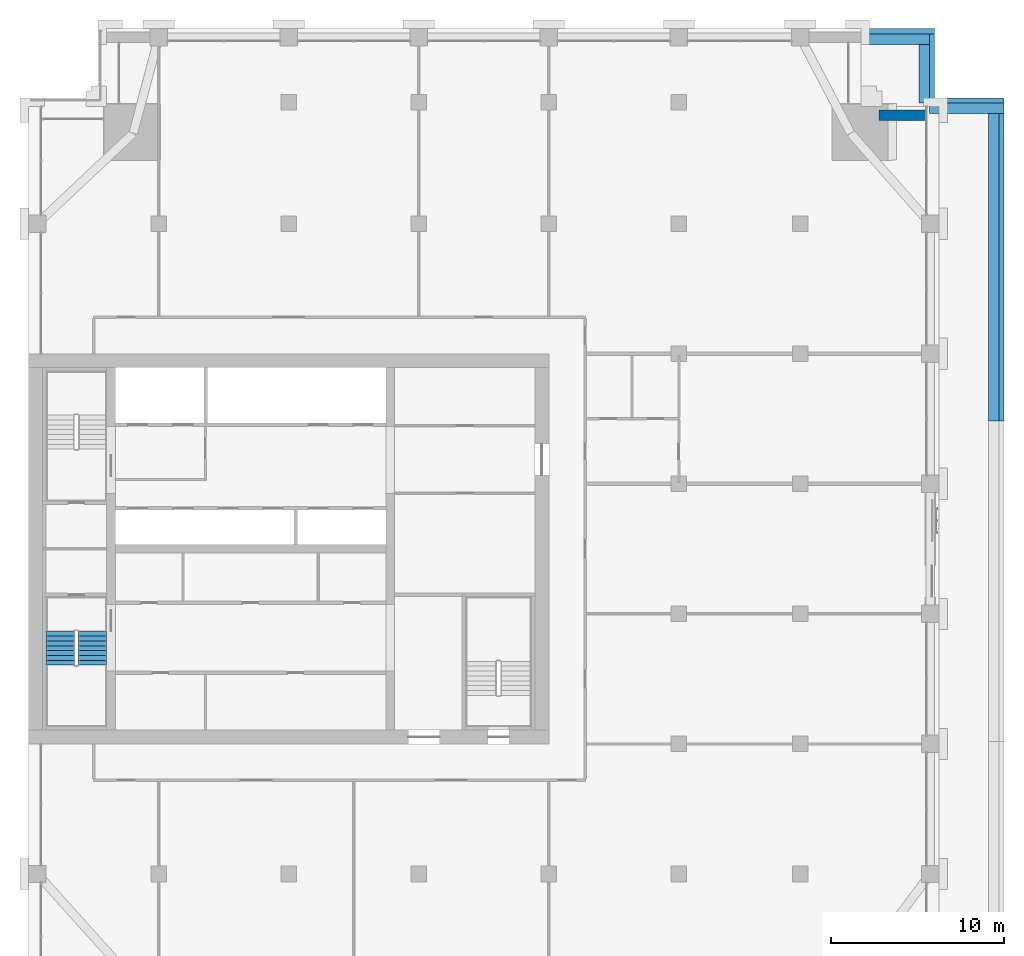
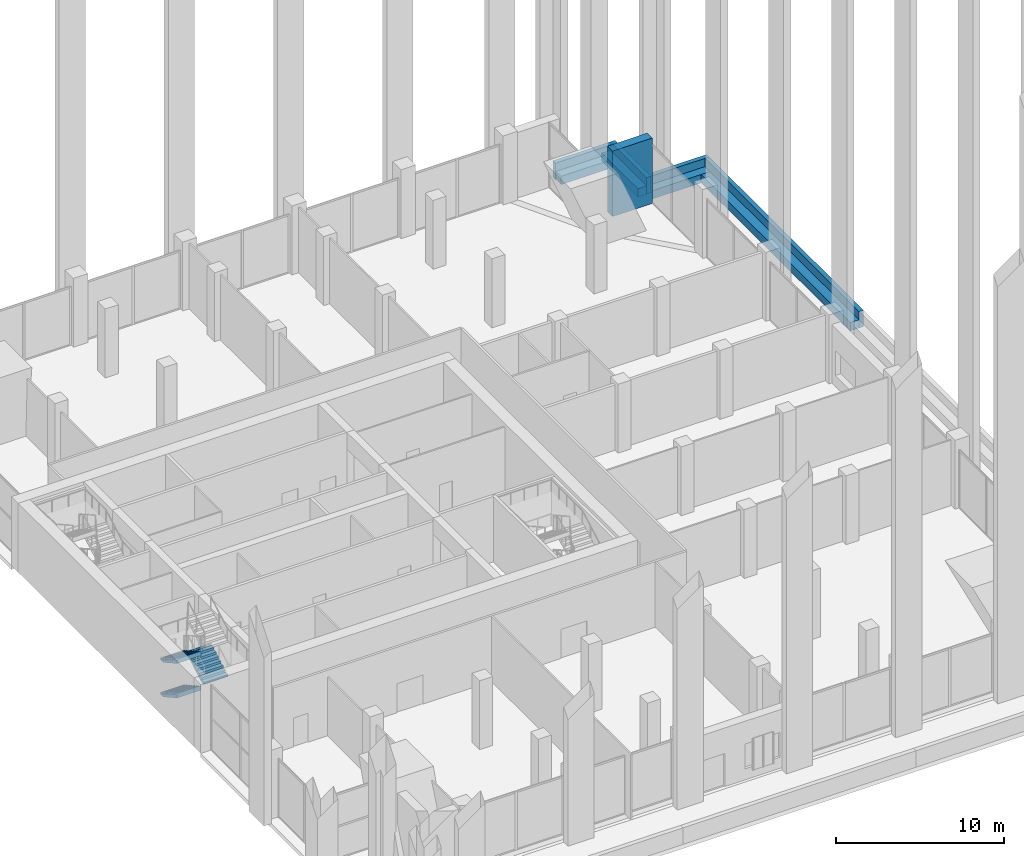
# One storey, part 13 of 19: 9 walls, 3 stair flights, 1 element without a shape of its own.
"""IFC4 building model written with IfcOpenShell, lengths in metres."""

from ifc_helpers import new_model, si_unit, direction, frame, frame_2d, origin, place, context, subcontext, project, spatial, polyline, rectangle, outline, extrude, material, layer, layer_set, type_object, element, aggregate, save


model = new_model("IFC4")

# Units and contexts
model_context = context("Model", 3, precision=1e-05, world=origin(), true_north=direction((0.0, 1.0)))
body_context = subcontext(model_context, "Body", "Model", "MODEL_VIEW")
ifc_project = project(units=[si_unit("LENGTHUNIT", "METRE"), si_unit("AREAUNIT", "SQUARE_METRE"), si_unit("VOLUMEUNIT", "CUBIC_METRE"), si_unit("PLANEANGLEUNIT", "RADIAN"), si_unit("MASSUNIT", "GRAM", prefix="KILO")], contexts=[model_context])

# Site, building, storey
site_placement = place(None, origin())
site = spatial("IfcSite", under=ifc_project, at=site_placement, CompositionType="ELEMENT")
building_placement = place(site_placement, origin())
building = spatial("IfcBuilding", under=site, at=building_placement, Name="Tamorin Gate", CompositionType="ELEMENT")
storey_placement = place(building_placement, frame((0.0, 0.0, 174.199951171875)))
storey = spatial("IfcBuildingStorey", under=building, at=storey_placement, Name="L42", CompositionType="ELEMENT", Elevation=174.199951171875)

# Walls
ifc_material_1 = material(Name="Precast concrete C40/50", Category="concrete")
ifc_layer_1 = layer(ifc_material_1, 0.60009765625)
ifc_layer_set_1 = layer_set([ifc_layer_1], Name="Precast concrete C40/50")
wall_type_1 = type_object("IfcWallType", Name="Board-marked concrete facade panel 600", PredefinedType="SOLIDWALL", material=ifc_layer_set_1)
wall_1_placement = place(storey_placement, frame((81.76611328125, 96.25, 0.0), z_axis=(0.0, 0.0, 1.0), x_axis=(-1.0, 0.0, 0.0)))
element("IfcWall", 1, at=wall_1_placement, inside=storey, type_object=wall_type_1, Name="Facade panel", PredefinedType="SOLIDWALL", context=body_context, shape_type="SweptSolid", body=[
    extrude(rectangle(XDim=2.73486328125, YDim=0.60009765625, at=frame_2d((1.367431640625, 0.0))), origin(), (0.0, 0.0, 1.0), 4.75),
])
ifc_layer_2 = layer(ifc_material_1, 0.300048828125)
ifc_layer_set_2 = layer_set([ifc_layer_2], Name="Terrace parapet 300")
wall_type_2 = type_object("IfcWallType", Name="Terrace parapet 300", PredefinedType="PARAPET", material=ifc_layer_set_2)
wall_2_placement = place(storey_placement, frame((82.10009765625, 96.949951171875, 0.0), z_axis=(0.0, 0.0, 1.0), x_axis=(0.0, 1.0, 0.0)))
element("IfcWall", 2, at=wall_2_placement, inside=storey, type_object=wall_type_2, Name="Terrace parapet", PredefinedType="PARAPET", context=body_context, shape_type="SweptSolid", body=[
    extrude(rectangle(XDim=4.300048828125, YDim=0.300048828125, at=frame_2d((2.14990234375, 0.0))), origin(), (0.0, 0.0, 1.0), 1.199951171875),
])
wall_3_placement = place(storey_placement, frame((82.25, 97.10009765625, 0.0), z_axis=(0.0, 0.0, 1.0), x_axis=(1.0, 0.0, 0.0)))
element("IfcWall", 3, at=wall_3_placement, inside=storey, type_object=wall_type_2, Name="Terrace parapet", PredefinedType="PARAPET", context=body_context, shape_type="SweptSolid", body=[
    extrude(rectangle(XDim=4.0, YDim=0.300048828125, at=frame_2d((2.0, 0.0))), origin(), (0.0, 0.0, 1.0), 1.199951171875),
])
wall_4_placement = place(storey_placement, frame((86.10009765625, 78.61669921875, 0.0), z_axis=(0.0, 0.0, 1.0), x_axis=(0.0, 1.0, 0.0)))
element("IfcWall", 4, at=wall_4_placement, inside=storey, type_object=wall_type_2, Name="Terrace parapet", PredefinedType="PARAPET", context=body_context, shape_type="SweptSolid", body=[
    extrude(rectangle(XDim=18.333251953125, YDim=0.300048828125, at=frame_2d((9.16650390625, 0.0))), origin(), (0.0, 0.0, 1.0), 1.199951171875),
])
wall_5_placement = place(storey_placement, frame((78.0, 101.10009765625, 0.0), z_axis=(0.0, 0.0, 1.0), x_axis=(1.0, 0.0, 0.0)))
element("IfcWall", 5, at=wall_5_placement, inside=storey, type_object=wall_type_2, Name="Terrace parapet", PredefinedType="PARAPET", context=body_context, shape_type="SweptSolid", body=[
    extrude(rectangle(XDim=4.25, YDim=0.300048828125, at=frame_2d((2.125, 0.0))), origin(), (0.0, 0.0, 1.0), 1.199951171875),
])
ifc_layer_3 = layer(ifc_material_1, 0.60009765625)
ifc_layer_set_3 = layer_set([ifc_layer_3], Name="Terrace planter wall 600")
wall_type_3 = type_object("IfcWallType", Name="Terrace planter wall 600", PredefinedType="STANDARD", material=ifc_layer_set_3)
for number, where, z_axis, x_axis, name in (
    (6, (81.64990234375, 96.949951171875, 0.0), (0.0, 0.0, 1.0), (0.0, 1.0, 0.0), "PLANTER wall"),
    (7, (81.949951171875, 96.64990234375, 0.0), (0.0, 0.0, 1.0), (1.0, 0.0, 0.0), "PLANTER wall"),
):
    element("IfcWall", number, at=place(storey_placement, frame(where, z_axis=z_axis, x_axis=x_axis)), inside=storey, type_object=wall_type_3, Name=name, PredefinedType="STANDARD", context=body_context, shape_type="SweptSolid", body=[
        extrude(rectangle(XDim=4.300048828125, YDim=0.60009765625, at=frame_2d((2.14990234375, 0.0))), origin(), (0.0, 0.0, 1.0), 0.60009765625),
    ])
wall_6_placement = place(storey_placement, frame((85.64990234375, 96.35009765625, 0.0), z_axis=(0.0, 0.0, 1.0), x_axis=(0.0, -1.0, 0.0)))
element("IfcWall", 8, at=wall_6_placement, inside=storey, type_object=wall_type_3, Name="PLANTER wall", PredefinedType="STANDARD", context=body_context, shape_type="SweptSolid", body=[
    extrude(rectangle(XDim=17.7333984375, YDim=0.60009765625, at=frame_2d((8.86669921875, 0.0))), origin(), (0.0, 0.0, 1.0), 0.60009765625),
])
wall_7_placement = place(storey_placement, frame((78.050048828125, 100.64990234375, 0.0), z_axis=(0.0, 0.0, 1.0), x_axis=(1.0, 0.0, 0.0)))
element("IfcWall", 9, at=wall_7_placement, inside=storey, type_object=wall_type_3, Name="PLANTER wall", PredefinedType="STANDARD", context=body_context, shape_type="SweptSolid", body=[
    extrude(rectangle(XDim=4.199951171875, YDim=0.60009765625, at=frame_2d((2.10009765625, 0.0))), origin(), (0.0, 0.0, 1.0), 0.60009765625),
])

# Stair, stair flights
ifc_material_2 = material(Name="Concrete C40/50", Category="concrete")
stair_type = type_object("IfcStairType", Name="Exit stair", PredefinedType="HALF_TURN_STAIR", material=ifc_material_2)
stair_placement = place(storey_placement, origin())
stair = element("IfcStair", 10, at=stair_placement, inside=storey, type_object=stair_type, Name="L42 stair ST1", PredefinedType="HALF_TURN_STAIR")
stair_flight_type = type_object("IfcStairFlightType", Name="Exit stair flight", PredefinedType="STRAIGHT", material=ifc_material_2)
stair_flight_1_placement = place(storey_placement, frame((31.824951171875, 66.5, 0.0), z_axis=(0.0, 0.0, 1.0), x_axis=(0.0, -1.0, 0.0)))
stair_flight_1 = element("IfcStairFlight", 11, at=stair_flight_1_placement, type_object=stair_flight_type, Name="ST1 flight 1", NumberOfRisers=8, NumberOfTreads=7, PredefinedType="STRAIGHT", RiserHeight=0.15625, TreadLength=0.28, context=body_context, shape_type="SweptSolid", body=[
    extrude(outline(polyline([(-0.00048828125, 0.0), (-0.00048828125, 0.00146484375), (-0.00048828125, 0.003173828125), (-0.00048828125, 0.004638671875), (-0.00048828125, 0.006103515625), (-0.00048828125, 0.0078125), (-0.00048828125, 0.00927734375), (-0.00048828125, 0.0107421875), (-0.00048828125, 0.012451171875), (-0.00048828125, 0.013916015625), (-0.00048828125, 0.015380859375), (-0.00048828125, 0.01708984375), (-0.00048828125, 0.0185546875), (-0.00048828125, 0.02001953125), (-0.00048828125, 0.021728515625), (-0.00048828125, 0.023193359375), (-0.00048828125, 0.024658203125), (-0.00048828125, 0.0263671875), (-0.00048828125, 0.02783203125), (-0.00048828125, 0.029296875), (-0.00048828125, 0.031005859375), (-0.00048828125, 0.032470703125), (-0.00048828125, 0.033935546875), (-0.00048828125, 0.03564453125), (-0.00048828125, 0.037109375), (-0.00048828125, 0.03857421875), (-0.00048828125, 0.040283203125), (-0.00048828125, 0.041748046875), (-0.00048828125, 0.043212890625), (-0.00048828125, 0.044921875), (-0.00048828125, 0.04638671875), (-0.00048828125, 0.0478515625), (-0.00048828125, 0.049560546875), (-0.00048828125, 0.051025390625), (-0.00048828125, 0.052490234375), (-0.00048828125, 0.05419921875), (-0.00048828125, 0.0556640625), (-0.00048828125, 0.05712890625), (-0.00048828125, 0.058837890625), (-0.00048828125, 0.060302734375), (-0.00048828125, 0.061767578125), (-0.00048828125, 0.0634765625), (-0.00048828125, 0.06494140625), (-0.00048828125, 0.06640625), (-0.00048828125, 0.068115234375), (-0.00048828125, 0.069580078125), (-0.00048828125, 0.071044921875), (-0.00048828125, 0.07275390625), (-0.00048828125, 0.07421875), (-0.00048828125, 0.07568359375), (-0.00048828125, 0.077392578125), (-0.00048828125, 0.078857421875), (-0.00048828125, 0.08056640625), (-0.00048828125, 0.08203125), (-0.00048828125, 0.08349609375), (-0.00048828125, 0.085205078125), (-0.00048828125, 0.086669921875), (-0.00048828125, 0.088134765625), (-0.00048828125, 0.08984375), (-0.00048828125, 0.09130859375), (-0.00048828125, 0.0927734375), (-0.00048828125, 0.094482421875), (-0.00048828125, 0.095947265625), (-0.00048828125, 0.097412109375), (-0.00048828125, 0.09912109375), (-0.00048828125, 0.1005859375), (-0.00048828125, 0.10205078125), (-0.00048828125, 0.103759765625), (-0.00048828125, 0.105224609375), (-0.00048828125, 0.106689453125), (-0.00048828125, 0.1083984375), (-0.00048828125, 0.10986328125), (-0.00048828125, 0.111328125), (-0.00048828125, 0.113037109375), (-0.00048828125, 0.114501953125), (-0.00048828125, 0.115966796875), (-0.00048828125, 0.11767578125), (-0.00048828125, 0.119140625), (-0.00048828125, 0.12060546875), (-0.00048828125, 0.122314453125), (-0.00048828125, 0.123779296875), (-0.00048828125, 0.125244140625), (-0.00048828125, 0.126953125), (-0.00048828125, 0.12841796875), (-0.00048828125, 0.1298828125), (-0.00048828125, 0.131591796875), (-0.00048828125, 0.133056640625), (-0.00048828125, 0.134521484375), (-0.00048828125, 0.13623046875), (-0.00048828125, 0.1376953125), (-0.00048828125, 0.13916015625), (-0.00048828125, 0.140869140625), (-0.00048828125, 0.142333984375), (-0.00048828125, 0.143798828125), (-0.00048828125, 0.1455078125), (-0.00048828125, 0.14697265625), (-0.00048828125, 0.1484375), (-0.00048828125, 0.150146484375), (-0.00048828125, 0.151611328125), (-0.00048828125, 0.153076171875), (-0.00048828125, 0.15478515625), (-0.00048828125, 0.15625), (0.280029296875, 0.15625), (0.280029296875, 0.3125), (0.56005859375, 0.3125), (0.56005859375, 0.46875), (0.840087890625, 0.46875), (0.840087890625, 0.625), (1.1201171875, 0.625), (1.1201171875, 0.78125), (1.39990234375, 0.78125), (1.39990234375, 0.9375), (1.679931640625, 0.9375), (1.679931640625, 1.09375), (1.9599609375, 1.09375), (1.9599609375, 1.25), (1.96044921875, 1.25), (1.96044921875, 1.246826171875), (1.96044921875, 1.243408203125), (1.96044921875, 1.240234375), (1.96044921875, 1.237060546875), (1.96044921875, 1.23388671875), (1.96044921875, 1.23046875), (1.96044921875, 1.227294921875), (1.96044921875, 1.22412109375), (1.96044921875, 1.220703125), (1.96044921875, 1.217529296875), (1.96044921875, 1.21435546875), (1.96044921875, 1.2109375), (1.96044921875, 1.207763671875), (1.96044921875, 1.20458984375), (1.96044921875, 1.201416015625), (1.96044921875, 1.197998046875), (1.96044921875, 1.19482421875), (1.96044921875, 1.191650390625), (1.96044921875, 1.188232421875), (1.96044921875, 1.18505859375), (1.96044921875, 1.181884765625), (1.96044921875, 1.178466796875), (1.96044921875, 1.17529296875), (1.96044921875, 1.172119140625), (1.96044921875, 1.1689453125), (1.96044921875, 1.16552734375), (1.96044921875, 1.162353515625), (1.96044921875, 1.1591796875), (1.96044921875, 1.15576171875), (1.96044921875, 1.152587890625), (1.96044921875, 1.1494140625), (1.96044921875, 1.14599609375), (1.96044921875, 1.142822265625), (1.96044921875, 1.1396484375), (1.96044921875, 1.136474609375), (1.96044921875, 1.133056640625), (1.96044921875, 1.1298828125), (1.96044921875, 1.126708984375), (1.96044921875, 1.123291015625), (1.96044921875, 1.1201171875), (1.96044921875, 1.116943359375), (1.96044921875, 1.113525390625), (1.96044921875, 1.1103515625), (1.96044921875, 1.107177734375), (1.96044921875, 1.10400390625), (1.96044921875, 1.1005859375), (1.96044921875, 1.097412109375), (1.96044921875, 1.09423828125), (1.96044921875, 1.0908203125), (1.96044921875, 1.087646484375), (1.96044921875, 1.08447265625), (1.96044921875, 1.0810546875), (1.96044921875, 1.077880859375), (1.96044921875, 1.07470703125), (1.96044921875, 1.071533203125), (1.96044921875, 1.068115234375), (1.96044921875, 1.06494140625), (1.96044921875, 1.061767578125), (1.96044921875, 1.058349609375), (1.96044921875, 1.05517578125), (1.96044921875, 1.052001953125), (1.96044921875, 1.048828125), (1.96044921875, 1.04541015625), (1.96044921875, 1.042236328125), (1.96044921875, 1.0390625), (1.96044921875, 1.03564453125), (1.96044921875, 1.032470703125), (1.96044921875, 1.029296875), (1.96044921875, 1.02587890625), (1.96044921875, 1.022705078125), (1.96044921875, 1.01953125), (1.96044921875, 1.016357421875), (1.96044921875, 1.012939453125), (1.96044921875, 1.009765625), (1.96044921875, 1.006591796875), (1.96044921875, 1.003173828125), (1.96044921875, 1.0), (1.96044921875, 0.996826171875), (1.96044921875, 0.993408203125), (1.96044921875, 0.990234375), (1.96044921875, 0.987060546875), (1.96044921875, 0.98388671875), (1.96044921875, 0.98046875), (1.96044921875, 0.977294921875), (1.96044921875, 0.97412109375), (1.96044921875, 0.970703125), (1.96044921875, 0.967529296875), (1.96044921875, 0.96435546875), (1.96044921875, 0.9609375), (1.96044921875, 0.957763671875), (1.96044921875, 0.95458984375), (1.96044921875, 0.951416015625), (1.96044921875, 0.947998046875), (1.96044921875, 0.94482421875), (1.96044921875, 0.941650390625), (1.96044921875, 0.938232421875), (1.96044921875, 0.93505859375), (1.96044921875, 0.931884765625), (1.96044921875, 0.928466796875), (1.96044921875, 0.92529296875), (1.96044921875, 0.922119140625), (1.9599609375, 0.922119140625), (0.3076171875, 0.0), (-0.00048828125, 0.0)])), frame((0.0, 0.824951171875, 0.0), z_axis=(0.0, -1.0, 0.0), x_axis=(1.0, 0.0, 0.0)), (0.0, 0.0, 1.0), 1.64990234375),
])
stair_flight_2_placement = place(storey_placement, frame((33.675048828125, 64.5400390625, 1.25), z_axis=(0.0, 0.0, 1.0), x_axis=(0.0, 1.0, 0.0)))
stair_flight_2 = element("IfcStairFlight", 12, at=stair_flight_2_placement, type_object=stair_flight_type, Name="ST1 flight 2", NumberOfRisers=8, NumberOfTreads=7, PredefinedType="STRAIGHT", RiserHeight=0.15625, TreadLength=0.28, context=body_context, shape_type="SweptSolid", body=[
    extrude(outline(polyline([(-0.00048828125, 0.0), (-0.00048828125, 0.00146484375), (-0.00048828125, 0.003173828125), (-0.00048828125, 0.004638671875), (-0.00048828125, 0.006103515625), (-0.00048828125, 0.0078125), (-0.00048828125, 0.00927734375), (-0.00048828125, 0.0107421875), (-0.00048828125, 0.012451171875), (-0.00048828125, 0.013916015625), (-0.00048828125, 0.015380859375), (-0.00048828125, 0.01708984375), (-0.00048828125, 0.0185546875), (-0.00048828125, 0.02001953125), (-0.00048828125, 0.021728515625), (-0.00048828125, 0.023193359375), (-0.00048828125, 0.024658203125), (-0.00048828125, 0.0263671875), (-0.00048828125, 0.02783203125), (-0.00048828125, 0.029296875), (-0.00048828125, 0.031005859375), (-0.00048828125, 0.032470703125), (-0.00048828125, 0.033935546875), (-0.00048828125, 0.03564453125), (-0.00048828125, 0.037109375), (-0.00048828125, 0.03857421875), (-0.00048828125, 0.040283203125), (-0.00048828125, 0.041748046875), (-0.00048828125, 0.043212890625), (-0.00048828125, 0.044921875), (-0.00048828125, 0.04638671875), (-0.00048828125, 0.0478515625), (-0.00048828125, 0.049560546875), (-0.00048828125, 0.051025390625), (-0.00048828125, 0.052490234375), (-0.00048828125, 0.05419921875), (-0.00048828125, 0.0556640625), (-0.00048828125, 0.05712890625), (-0.00048828125, 0.058837890625), (-0.00048828125, 0.060302734375), (-0.00048828125, 0.061767578125), (-0.00048828125, 0.0634765625), (-0.00048828125, 0.06494140625), (-0.00048828125, 0.06640625), (-0.00048828125, 0.068115234375), (-0.00048828125, 0.069580078125), (-0.00048828125, 0.071044921875), (-0.00048828125, 0.07275390625), (-0.00048828125, 0.07421875), (-0.00048828125, 0.07568359375), (-0.00048828125, 0.077392578125), (-0.00048828125, 0.078857421875), (-0.00048828125, 0.08056640625), (-0.00048828125, 0.08203125), (-0.00048828125, 0.08349609375), (-0.00048828125, 0.085205078125), (-0.00048828125, 0.086669921875), (-0.00048828125, 0.088134765625), (-0.00048828125, 0.08984375), (-0.00048828125, 0.09130859375), (-0.00048828125, 0.0927734375), (-0.00048828125, 0.094482421875), (-0.00048828125, 0.095947265625), (-0.00048828125, 0.097412109375), (-0.00048828125, 0.09912109375), (-0.00048828125, 0.1005859375), (-0.00048828125, 0.10205078125), (-0.00048828125, 0.103759765625), (-0.00048828125, 0.105224609375), (-0.00048828125, 0.106689453125), (-0.00048828125, 0.1083984375), (-0.00048828125, 0.10986328125), (-0.00048828125, 0.111328125), (-0.00048828125, 0.113037109375), (-0.00048828125, 0.114501953125), (-0.00048828125, 0.115966796875), (-0.00048828125, 0.11767578125), (-0.00048828125, 0.119140625), (-0.00048828125, 0.12060546875), (-0.00048828125, 0.122314453125), (-0.00048828125, 0.123779296875), (-0.00048828125, 0.125244140625), (-0.00048828125, 0.126953125), (-0.00048828125, 0.12841796875), (-0.00048828125, 0.1298828125), (-0.00048828125, 0.131591796875), (-0.00048828125, 0.133056640625), (-0.00048828125, 0.134521484375), (-0.00048828125, 0.13623046875), (-0.00048828125, 0.1376953125), (-0.00048828125, 0.13916015625), (-0.00048828125, 0.140869140625), (-0.00048828125, 0.142333984375), (-0.00048828125, 0.143798828125), (-0.00048828125, 0.1455078125), (-0.00048828125, 0.14697265625), (-0.00048828125, 0.1484375), (-0.00048828125, 0.150146484375), (-0.00048828125, 0.151611328125), (-0.00048828125, 0.153076171875), (-0.00048828125, 0.15478515625), (-0.00048828125, 0.15625), (0.280029296875, 0.15625), (0.280029296875, 0.3125), (0.56005859375, 0.3125), (0.56005859375, 0.46875), (0.840087890625, 0.46875), (0.840087890625, 0.625), (1.1201171875, 0.625), (1.1201171875, 0.78125), (1.39990234375, 0.78125), (1.39990234375, 0.9375), (1.679931640625, 0.9375), (1.679931640625, 1.09375), (1.9599609375, 1.09375), (1.9599609375, 1.25), (1.96044921875, 1.25), (1.96044921875, 1.246826171875), (1.96044921875, 1.243408203125), (1.96044921875, 1.240234375), (1.96044921875, 1.237060546875), (1.96044921875, 1.23388671875), (1.96044921875, 1.23046875), (1.96044921875, 1.227294921875), (1.96044921875, 1.22412109375), (1.96044921875, 1.220703125), (1.96044921875, 1.217529296875), (1.96044921875, 1.21435546875), (1.96044921875, 1.2109375), (1.96044921875, 1.207763671875), (1.96044921875, 1.20458984375), (1.96044921875, 1.201416015625), (1.96044921875, 1.197998046875), (1.96044921875, 1.19482421875), (1.96044921875, 1.191650390625), (1.96044921875, 1.188232421875), (1.96044921875, 1.18505859375), (1.96044921875, 1.181884765625), (1.96044921875, 1.178466796875), (1.96044921875, 1.17529296875), (1.96044921875, 1.172119140625), (1.96044921875, 1.1689453125), (1.96044921875, 1.16552734375), (1.96044921875, 1.162353515625), (1.96044921875, 1.1591796875), (1.96044921875, 1.15576171875), (1.96044921875, 1.152587890625), (1.96044921875, 1.1494140625), (1.96044921875, 1.14599609375), (1.96044921875, 1.142822265625), (1.96044921875, 1.1396484375), (1.96044921875, 1.136474609375), (1.96044921875, 1.133056640625), (1.96044921875, 1.1298828125), (1.96044921875, 1.126708984375), (1.96044921875, 1.123291015625), (1.96044921875, 1.1201171875), (1.96044921875, 1.116943359375), (1.96044921875, 1.113525390625), (1.96044921875, 1.1103515625), (1.96044921875, 1.107177734375), (1.96044921875, 1.10400390625), (1.96044921875, 1.1005859375), (1.96044921875, 1.097412109375), (1.96044921875, 1.09423828125), (1.96044921875, 1.0908203125), (1.96044921875, 1.087646484375), (1.96044921875, 1.08447265625), (1.96044921875, 1.0810546875), (1.96044921875, 1.077880859375), (1.96044921875, 1.07470703125), (1.96044921875, 1.071533203125), (1.96044921875, 1.068115234375), (1.96044921875, 1.06494140625), (1.96044921875, 1.061767578125), (1.96044921875, 1.058349609375), (1.96044921875, 1.05517578125), (1.96044921875, 1.052001953125), (1.96044921875, 1.048828125), (1.96044921875, 1.04541015625), (1.96044921875, 1.042236328125), (1.96044921875, 1.0390625), (1.96044921875, 1.03564453125), (1.96044921875, 1.032470703125), (1.96044921875, 1.029296875), (1.96044921875, 1.02587890625), (1.96044921875, 1.022705078125), (1.96044921875, 1.01953125), (1.96044921875, 1.016357421875), (1.96044921875, 1.012939453125), (1.96044921875, 1.009765625), (1.96044921875, 1.006591796875), (1.96044921875, 1.003173828125), (1.96044921875, 1.0), (1.96044921875, 0.996826171875), (1.96044921875, 0.993408203125), (1.96044921875, 0.990234375), (1.96044921875, 0.987060546875), (1.96044921875, 0.98388671875), (1.96044921875, 0.98046875), (1.96044921875, 0.977294921875), (1.96044921875, 0.97412109375), (1.96044921875, 0.970703125), (1.96044921875, 0.967529296875), (1.96044921875, 0.96435546875), (1.96044921875, 0.9609375), (1.96044921875, 0.957763671875), (1.96044921875, 0.95458984375), (1.96044921875, 0.951416015625), (1.96044921875, 0.947998046875), (1.96044921875, 0.94482421875), (1.96044921875, 0.941650390625), (1.96044921875, 0.938232421875), (1.96044921875, 0.93505859375), (1.96044921875, 0.931884765625), (1.96044921875, 0.928466796875), (1.96044921875, 0.92529296875), (1.96044921875, 0.922119140625), (1.9599609375, 0.922119140625), (0.3076171875, 0.0), (-0.00048828125, 0.0)])), frame((0.0, 0.824951171875, 0.0), z_axis=(0.0, -1.0, 0.0), x_axis=(1.0, 0.0, 0.0)), (0.0, 0.0, 1.0), 1.64990234375),
])
stair_flight_3_placement = place(storey_placement, frame((31.824951171875, 66.5, 2.5), z_axis=(0.0, 0.0, 1.0), x_axis=(0.0, -1.0, 0.0)))
stair_flight_3 = element("IfcStairFlight", 13, at=stair_flight_3_placement, type_object=stair_flight_type, Name="ST1 flight 3", NumberOfRisers=8, NumberOfTreads=7, PredefinedType="STRAIGHT", RiserHeight=0.15625, TreadLength=0.28, context=body_context, shape_type="SweptSolid", body=[
    extrude(outline(polyline([(-0.00048828125, 0.0), (-0.00048828125, 0.00146484375), (-0.00048828125, 0.003173828125), (-0.00048828125, 0.004638671875), (-0.00048828125, 0.006103515625), (-0.00048828125, 0.0078125), (-0.00048828125, 0.00927734375), (-0.00048828125, 0.0107421875), (-0.00048828125, 0.012451171875), (-0.00048828125, 0.013916015625), (-0.00048828125, 0.015380859375), (-0.00048828125, 0.01708984375), (-0.00048828125, 0.0185546875), (-0.00048828125, 0.02001953125), (-0.00048828125, 0.021728515625), (-0.00048828125, 0.023193359375), (-0.00048828125, 0.024658203125), (-0.00048828125, 0.0263671875), (-0.00048828125, 0.02783203125), (-0.00048828125, 0.029296875), (-0.00048828125, 0.031005859375), (-0.00048828125, 0.032470703125), (-0.00048828125, 0.033935546875), (-0.00048828125, 0.03564453125), (-0.00048828125, 0.037109375), (-0.00048828125, 0.03857421875), (-0.00048828125, 0.040283203125), (-0.00048828125, 0.041748046875), (-0.00048828125, 0.043212890625), (-0.00048828125, 0.044921875), (-0.00048828125, 0.04638671875), (-0.00048828125, 0.0478515625), (-0.00048828125, 0.049560546875), (-0.00048828125, 0.051025390625), (-0.00048828125, 0.052490234375), (-0.00048828125, 0.05419921875), (-0.00048828125, 0.0556640625), (-0.00048828125, 0.05712890625), (-0.00048828125, 0.058837890625), (-0.00048828125, 0.060302734375), (-0.00048828125, 0.061767578125), (-0.00048828125, 0.0634765625), (-0.00048828125, 0.06494140625), (-0.00048828125, 0.06640625), (-0.00048828125, 0.068115234375), (-0.00048828125, 0.069580078125), (-0.00048828125, 0.071044921875), (-0.00048828125, 0.07275390625), (-0.00048828125, 0.07421875), (-0.00048828125, 0.07568359375), (-0.00048828125, 0.077392578125), (-0.00048828125, 0.078857421875), (-0.00048828125, 0.08056640625), (-0.00048828125, 0.08203125), (-0.00048828125, 0.08349609375), (-0.00048828125, 0.085205078125), (-0.00048828125, 0.086669921875), (-0.00048828125, 0.088134765625), (-0.00048828125, 0.08984375), (-0.00048828125, 0.09130859375), (-0.00048828125, 0.0927734375), (-0.00048828125, 0.094482421875), (-0.00048828125, 0.095947265625), (-0.00048828125, 0.097412109375), (-0.00048828125, 0.09912109375), (-0.00048828125, 0.1005859375), (-0.00048828125, 0.10205078125), (-0.00048828125, 0.103759765625), (-0.00048828125, 0.105224609375), (-0.00048828125, 0.106689453125), (-0.00048828125, 0.1083984375), (-0.00048828125, 0.10986328125), (-0.00048828125, 0.111328125), (-0.00048828125, 0.113037109375), (-0.00048828125, 0.114501953125), (-0.00048828125, 0.115966796875), (-0.00048828125, 0.11767578125), (-0.00048828125, 0.119140625), (-0.00048828125, 0.12060546875), (-0.00048828125, 0.122314453125), (-0.00048828125, 0.123779296875), (-0.00048828125, 0.125244140625), (-0.00048828125, 0.126953125), (-0.00048828125, 0.12841796875), (-0.00048828125, 0.1298828125), (-0.00048828125, 0.131591796875), (-0.00048828125, 0.133056640625), (-0.00048828125, 0.134521484375), (-0.00048828125, 0.13623046875), (-0.00048828125, 0.1376953125), (-0.00048828125, 0.13916015625), (-0.00048828125, 0.140869140625), (-0.00048828125, 0.142333984375), (-0.00048828125, 0.143798828125), (-0.00048828125, 0.1455078125), (-0.00048828125, 0.14697265625), (-0.00048828125, 0.1484375), (-0.00048828125, 0.150146484375), (-0.00048828125, 0.151611328125), (-0.00048828125, 0.153076171875), (-0.00048828125, 0.15478515625), (-0.00048828125, 0.15625), (0.280029296875, 0.15625), (0.280029296875, 0.3125), (0.56005859375, 0.3125), (0.56005859375, 0.46875), (0.840087890625, 0.46875), (0.840087890625, 0.625), (1.1201171875, 0.625), (1.1201171875, 0.78125), (1.39990234375, 0.78125), (1.39990234375, 0.9375), (1.679931640625, 0.9375), (1.679931640625, 1.09375), (1.9599609375, 1.09375), (1.9599609375, 1.25), (1.96044921875, 1.25), (1.96044921875, 1.246826171875), (1.96044921875, 1.243408203125), (1.96044921875, 1.240234375), (1.96044921875, 1.237060546875), (1.96044921875, 1.23388671875), (1.96044921875, 1.23046875), (1.96044921875, 1.227294921875), (1.96044921875, 1.22412109375), (1.96044921875, 1.220703125), (1.96044921875, 1.217529296875), (1.96044921875, 1.21435546875), (1.96044921875, 1.2109375), (1.96044921875, 1.207763671875), (1.96044921875, 1.20458984375), (1.96044921875, 1.201416015625), (1.96044921875, 1.197998046875), (1.96044921875, 1.19482421875), (1.96044921875, 1.191650390625), (1.96044921875, 1.188232421875), (1.96044921875, 1.18505859375), (1.96044921875, 1.181884765625), (1.96044921875, 1.178466796875), (1.96044921875, 1.17529296875), (1.96044921875, 1.172119140625), (1.96044921875, 1.1689453125), (1.96044921875, 1.16552734375), (1.96044921875, 1.162353515625), (1.96044921875, 1.1591796875), (1.96044921875, 1.15576171875), (1.96044921875, 1.152587890625), (1.96044921875, 1.1494140625), (1.96044921875, 1.14599609375), (1.96044921875, 1.142822265625), (1.96044921875, 1.1396484375), (1.96044921875, 1.136474609375), (1.96044921875, 1.133056640625), (1.96044921875, 1.1298828125), (1.96044921875, 1.126708984375), (1.96044921875, 1.123291015625), (1.96044921875, 1.1201171875), (1.96044921875, 1.116943359375), (1.96044921875, 1.113525390625), (1.96044921875, 1.1103515625), (1.96044921875, 1.107177734375), (1.96044921875, 1.10400390625), (1.96044921875, 1.1005859375), (1.96044921875, 1.097412109375), (1.96044921875, 1.09423828125), (1.96044921875, 1.0908203125), (1.96044921875, 1.087646484375), (1.96044921875, 1.08447265625), (1.96044921875, 1.0810546875), (1.96044921875, 1.077880859375), (1.96044921875, 1.07470703125), (1.96044921875, 1.071533203125), (1.96044921875, 1.068115234375), (1.96044921875, 1.06494140625), (1.96044921875, 1.061767578125), (1.96044921875, 1.058349609375), (1.96044921875, 1.05517578125), (1.96044921875, 1.052001953125), (1.96044921875, 1.048828125), (1.96044921875, 1.04541015625), (1.96044921875, 1.042236328125), (1.96044921875, 1.0390625), (1.96044921875, 1.03564453125), (1.96044921875, 1.032470703125), (1.96044921875, 1.029296875), (1.96044921875, 1.02587890625), (1.96044921875, 1.022705078125), (1.96044921875, 1.01953125), (1.96044921875, 1.016357421875), (1.96044921875, 1.012939453125), (1.96044921875, 1.009765625), (1.96044921875, 1.006591796875), (1.96044921875, 1.003173828125), (1.96044921875, 1.0), (1.96044921875, 0.996826171875), (1.96044921875, 0.993408203125), (1.96044921875, 0.990234375), (1.96044921875, 0.987060546875), (1.96044921875, 0.98388671875), (1.96044921875, 0.98046875), (1.96044921875, 0.977294921875), (1.96044921875, 0.97412109375), (1.96044921875, 0.970703125), (1.96044921875, 0.967529296875), (1.96044921875, 0.96435546875), (1.96044921875, 0.9609375), (1.96044921875, 0.957763671875), (1.96044921875, 0.95458984375), (1.96044921875, 0.951416015625), (1.96044921875, 0.947998046875), (1.96044921875, 0.94482421875), (1.96044921875, 0.941650390625), (1.96044921875, 0.938232421875), (1.96044921875, 0.93505859375), (1.96044921875, 0.931884765625), (1.96044921875, 0.928466796875), (1.96044921875, 0.92529296875), (1.96044921875, 0.922119140625), (1.9599609375, 0.922119140625), (0.3076171875, 0.0), (-0.00048828125, 0.0)])), frame((0.0, 0.824951171875, 0.0), z_axis=(0.0, -1.0, 0.0), x_axis=(1.0, 0.0, 0.0)), (0.0, 0.0, 1.0), 1.64990234375),
])
aggregate(stair, [stair_flight_1, stair_flight_2, stair_flight_3])

save(model, "model.ifc")
